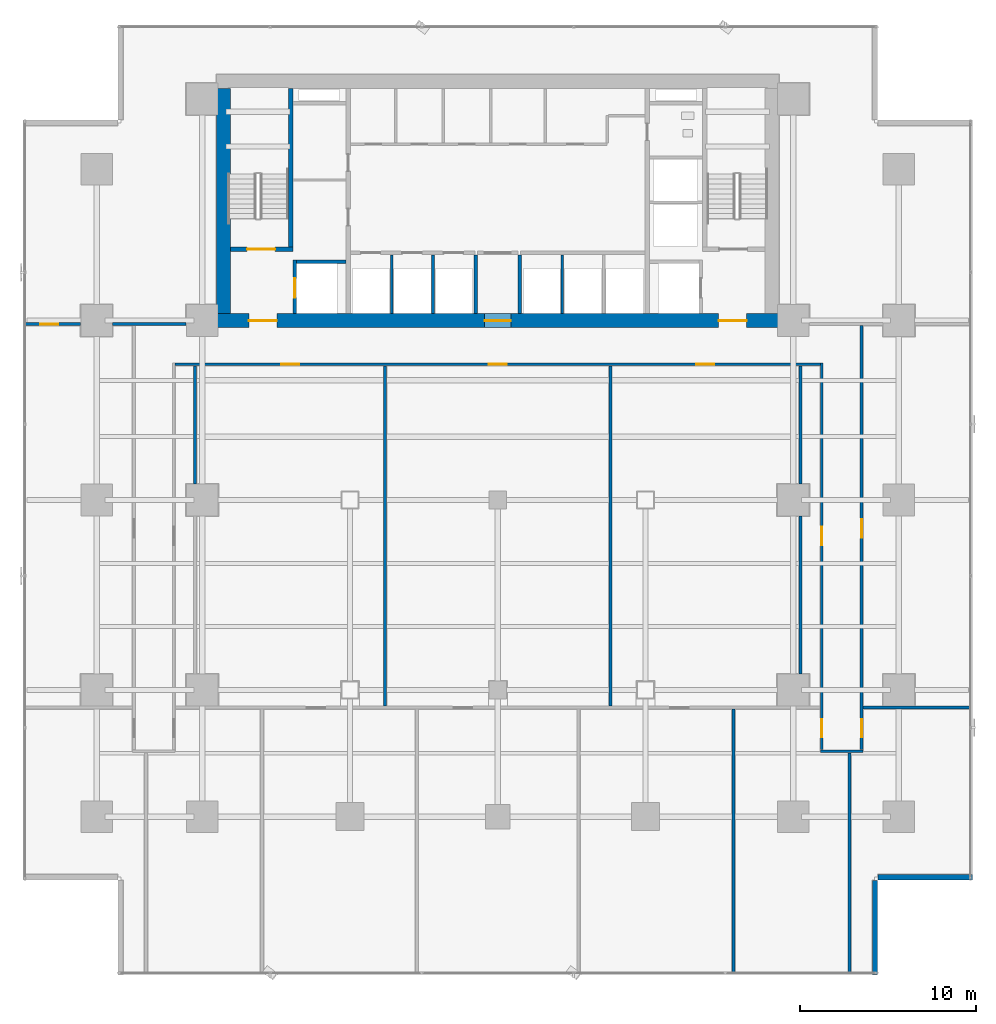
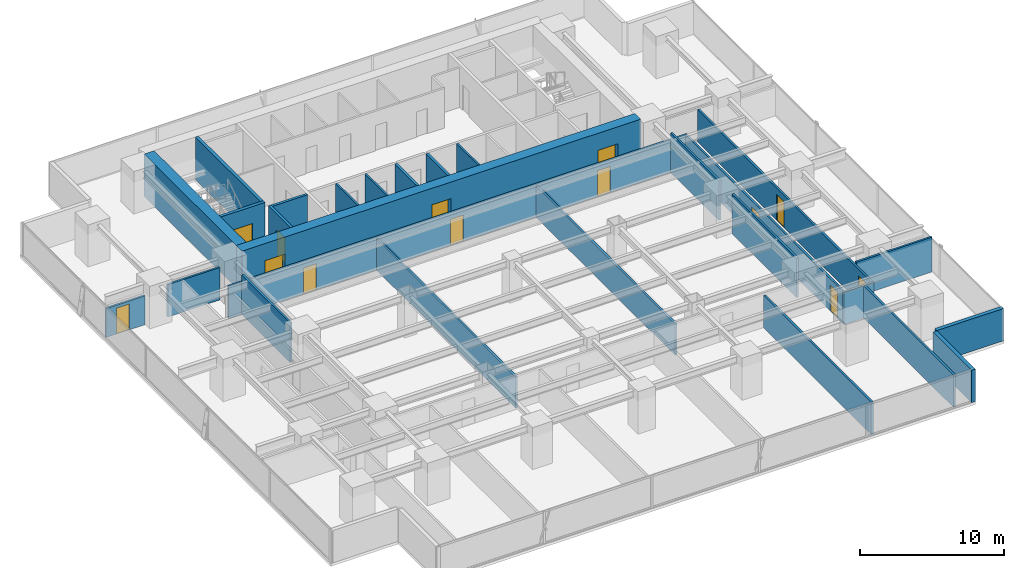
# One storey, part 25 of 33: 27 walls, 13 doors, 13 openings.
"""IFC4 building model written with IfcOpenShell, lengths in metres."""

from ifc_helpers import new_model, si_unit, direction, frame, frame_2d, origin, place, context, subcontext, project, spatial, rectangle, extrude, source, transform, mapped, material, layer, layer_set, type_object, element, fill, save


model = new_model("IFC4")

# Units and contexts
model_context = context("Model", 3, precision=1e-05, world=origin(), true_north=direction((0.0, 1.0)))
body_context = subcontext(model_context, "Body", "Model", "MODEL_VIEW")
ifc_project = project(units=[si_unit("LENGTHUNIT", "METRE"), si_unit("AREAUNIT", "SQUARE_METRE"), si_unit("VOLUMEUNIT", "CUBIC_METRE"), si_unit("PLANEANGLEUNIT", "RADIAN"), si_unit("MASSUNIT", "GRAM", prefix="KILO")], contexts=[model_context])

# Site, building, storey
site_placement = place(None, origin())
site = spatial("IfcSite", under=ifc_project, at=site_placement, CompositionType="ELEMENT")
building_placement = place(site_placement, origin())
building = spatial("IfcBuilding", under=site, at=building_placement, Name="Sumidabori Civic Tower", CompositionType="ELEMENT")
storey_placement = place(building_placement, frame((0.0, 0.0, 59.60009765625)))
storey = spatial("IfcBuildingStorey", under=building, at=storey_placement, Name="L15", CompositionType="ELEMENT", Elevation=59.60009765625)

# Wall, openings, doors
ifc_material_1 = material(Name="Concrete C60/75", Category="concrete")
ifc_layer_1 = layer(ifc_material_1, 0.800048828125, Name="Concrete C60/75")
ifc_layer_set_1 = layer_set([ifc_layer_1], Name="Concrete C60/75")
wall_type_1 = type_object("IfcWallType", Name="WL-CORE-800", PredefinedType="SHEAR", material=ifc_layer_set_1)
shared_shape_1 = source(origin(), body_context, "Body", "SweptSolid", [
    extrude(rectangle(XDim=32.0, YDim=0.800048828125, at=frame_2d((16.0, 0.0))), origin(), (0.0, 0.0, 1.0), 3.599853515625),
])
wall_1_placement = place(storey_placement, frame((-16.0, 10.199951171875, 0.0), z_axis=(0.0, 0.0, 1.0), x_axis=(1.0, 0.0, 0.0)))
wall_1 = element("IfcWall", 1, at=wall_1_placement, inside=storey, type_object=wall_type_1, Name="Core Shear Wall L15 S", PredefinedType="SHEAR", context=body_context, shape_type="MappedRepresentation", body=[
    mapped(shared_shape_1, transform((0.0, 0.0, 0.0), x_axis=(1.0, 0.0, 0.0), y_axis=(0.0, 1.0, 0.0), z_axis=(0.0, 0.0, 1.0), scale=1.0)),
])
opening_1_placement = place(wall_1_placement, frame((1.85009765625, 0.0, 0.0)))
opening_1 = element("IfcOpeningElement", 2, at=opening_1_placement, cuts=wall_1, Name="Opening DR-FD4", PredefinedType="OPENING", context=body_context, shape_type="SweptSolid", body=[
    extrude(rectangle(XDim=1.60009765625, YDim=2.14990234375, at=frame_2d((0.800048828125, 1.074951171875))), frame((0.0, 0.412109375, 0.0), z_axis=(0.0, -1.0, 0.0), x_axis=(1.0, 0.0, 0.0)), (0.0, 0.0, 1.0), 0.823974609375),
])
opening_2_placement = place(wall_1_placement, frame((28.550048828125, 0.0, 0.0)))
opening_2 = element("IfcOpeningElement", 3, at=opening_2_placement, cuts=wall_1, Name="Opening DR-FD4", PredefinedType="OPENING", context=body_context, shape_type="SweptSolid", body=[
    extrude(rectangle(XDim=1.60009765625, YDim=2.14990234375, at=frame_2d((0.800048828125, 1.074951171875))), frame((0.0, 0.412109375, 0.0), z_axis=(0.0, -1.0, 0.0), x_axis=(1.0, 0.0, 0.0)), (0.0, 0.0, 1.0), 0.823974609375),
])
opening_3_placement = place(wall_1_placement, frame((15.25, 0.0, 0.0)))
opening_3 = element("IfcOpeningElement", 4, at=opening_3_placement, cuts=wall_1, Name="Opening DR-FD3", PredefinedType="OPENING", context=body_context, shape_type="SweptSolid", body=[
    extrude(rectangle(XDim=1.5, YDim=2.199951171875, at=frame_2d((0.75, 1.10009765625))), frame((0.0, 0.412109375, 0.0), z_axis=(0.0, -1.0, 0.0), x_axis=(1.0, 0.0, 0.0)), (0.0, 0.0, 1.0), 0.823974609375),
])
ifc_material_2 = material(Name="Steel SN490", Category="steel")
door_type_1 = type_object("IfcDoorType", Name="DR-FD4", OperationType="DOUBLE_DOOR_SINGLE_SWING", PredefinedType="DOOR", material=ifc_material_2)
shared_shape_2 = source(origin(), body_context, "Body", "SweptSolid", [
    extrude(rectangle(XDim=1.60009765625, YDim=2.14990234375, at=frame_2d((0.800048828125, 1.074951171875))), frame((0.0, 0.02490234375, 0.0), z_axis=(0.0, -1.0, 0.0), x_axis=(1.0, 0.0, 0.0)), (0.0, 0.0, 1.0), 0.050048828125),
])
door_1_placement = place(opening_1_placement, origin())
door_1 = element("IfcDoor", 5, at=door_1_placement, inside=storey, type_object=door_type_1, Name="Door DR:L15:ELOB-W", OperationType="DOUBLE_DOOR_SINGLE_SWING", OverallHeight=2.14990234375, OverallWidth=1.60009765625, PredefinedType="DOOR", context=body_context, shape_type="MappedRepresentation", body=[
    mapped(shared_shape_2, transform((0.0, 0.0, 0.0), x_axis=(1.0, 0.0, 0.0), y_axis=(0.0, 1.0, 0.0), z_axis=(0.0, 0.0, 1.0), scale=1.0)),
])
fill(opening_1, door_1)
door_2_placement = place(opening_2_placement, origin())
door_2 = element("IfcDoor", 6, at=door_2_placement, inside=storey, type_object=door_type_1, Name="Door DR:L15:ELOB-E", OperationType="DOUBLE_DOOR_SINGLE_SWING", OverallHeight=2.14990234375, OverallWidth=1.60009765625, PredefinedType="DOOR", context=body_context, shape_type="MappedRepresentation", body=[
    mapped(shared_shape_2, transform((0.0, 0.0, 0.0), x_axis=(1.0, 0.0, 0.0), y_axis=(0.0, 1.0, 0.0), z_axis=(0.0, 0.0, 1.0), scale=1.0)),
])
fill(opening_2, door_2)
door_type_2 = type_object("IfcDoorType", Name="DR-FD-DBL", OperationType="DOUBLE_DOOR_SINGLE_SWING", PredefinedType="DOOR", material=ifc_material_2)
shared_shape_3 = source(origin(), body_context, "Body", "SweptSolid", [
    extrude(rectangle(XDim=1.5, YDim=2.199951171875, at=frame_2d((0.75, 1.10009765625))), frame((0.0, 0.02490234375, 0.0), z_axis=(0.0, -1.0, 0.0), x_axis=(1.0, 0.0, 0.0)), (0.0, 0.0, 1.0), 0.050048828125),
])
door_3_placement = place(opening_3_placement, origin())
door_3 = element("IfcDoor", 7, at=door_3_placement, inside=storey, type_object=door_type_2, Name="Door DR:L15:THROAT-OUT", OperationType="DOUBLE_DOOR_SINGLE_SWING", OverallHeight=2.199951171875, OverallWidth=1.5, PredefinedType="DOOR", context=body_context, shape_type="MappedRepresentation", body=[
    mapped(shared_shape_3, transform((0.0, 0.0, 0.0), x_axis=(1.0, 0.0, 0.0), y_axis=(0.0, 1.0, 0.0), z_axis=(0.0, 0.0, 1.0), scale=1.0)),
])
fill(opening_3, door_3)

# Wall
shared_shape_4 = source(origin(), body_context, "Body", "SweptSolid", [
    extrude(rectangle(XDim=12.7998046875, YDim=0.800048828125, at=frame_2d((6.39990234375, 0.0))), origin(), (0.0, 0.0, 1.0), 3.599853515625),
])
wall_2_placement = place(storey_placement, frame((-15.60009765625, 10.60009765625, 0.0), z_axis=(0.0, 0.0, 1.0), x_axis=(0.0, 1.0, 0.0)))
element("IfcWall", 8, at=wall_2_placement, inside=storey, type_object=wall_type_1, Name="Core Shear Wall L15 W", PredefinedType="SHEAR", context=body_context, shape_type="MappedRepresentation", body=[
    mapped(shared_shape_4, transform((0.0, 0.0, 0.0), x_axis=(1.0, 0.0, 0.0), y_axis=(0.0, 1.0, 0.0), z_axis=(0.0, 0.0, 1.0), scale=1.0)),
])

# Wall, opening, door
ifc_material_3 = material(Name="Concrete C50/60", Category="concrete")
ifc_layer_2 = layer(ifc_material_3, 0.25, Name="Concrete C50/60")
ifc_layer_set_2 = layer_set([ifc_layer_2], Name="Concrete C50/60")
wall_type_2 = type_object("IfcWallType", Name="WL-SHAFT-250", PredefinedType="SHEAR", material=ifc_layer_set_2)
shared_shape_5 = source(origin(), body_context, "Body", "SweptSolid", [
    extrude(rectangle(XDim=3.554931640625, YDim=0.25, at=frame_2d((1.77734375, 0.0))), origin(), (0.0, 0.0, 1.0), 3.599853515625),
])
wall_3_placement = place(storey_placement, frame((-15.199951171875, 14.25, 0.0), z_axis=(0.0, 0.0, 1.0), x_axis=(1.0, 0.0, 0.0)))
wall_3 = element("IfcWall", 9, at=wall_3_placement, inside=storey, type_object=wall_type_2, Name="Core Shear Wall L15 ST1-S", PredefinedType="SHEAR", context=body_context, shape_type="MappedRepresentation", body=[
    mapped(shared_shape_5, transform((0.0, 0.0, 0.0), x_axis=(1.0, 0.0, 0.0), y_axis=(0.0, 1.0, 0.0), z_axis=(0.0, 0.0, 1.0), scale=1.0)),
])
opening_4_placement = place(wall_3_placement, frame((0.949951171875, 0.0, 0.0)))
opening_4 = element("IfcOpeningElement", 10, at=opening_4_placement, cuts=wall_3, Name="Opening DR-FD4", PredefinedType="OPENING", context=body_context, shape_type="SweptSolid", body=[
    extrude(rectangle(XDim=1.60009765625, YDim=2.14990234375, at=frame_2d((0.800048828125, 1.074951171875))), frame((0.0, 0.136962890625, 0.0), z_axis=(0.0, -1.0, 0.0), x_axis=(1.0, 0.0, 0.0)), (0.0, 0.0, 1.0), 0.27392578125),
])
door_4_placement = place(opening_4_placement, origin())
door_4 = element("IfcDoor", 11, at=door_4_placement, inside=storey, type_object=door_type_1, Name="Door DR:L15:ST1", OperationType="DOUBLE_DOOR_SINGLE_SWING", OverallHeight=2.14990234375, OverallWidth=1.60009765625, PredefinedType="DOOR", context=body_context, shape_type="MappedRepresentation", body=[
    mapped(shared_shape_2, transform((0.0, 0.0, 0.0), x_axis=(1.0, 0.0, 0.0), y_axis=(0.0, 1.0, 0.0), z_axis=(0.0, 0.0, 1.0), scale=1.0)),
])
fill(opening_4, door_4)

# Wall
shared_shape_6 = source(origin(), body_context, "Body", "SweptSolid", [
    extrude(rectangle(XDim=9.02490234375, YDim=0.25, at=frame_2d((4.512451171875, 0.0))), origin(), (0.0, 0.0, 1.0), 3.599853515625),
])
wall_4_placement = place(storey_placement, frame((-11.77001953125, 14.375, 0.0), z_axis=(0.0, 0.0, 1.0), x_axis=(0.0, 1.0, 0.0)))
element("IfcWall", 12, at=wall_4_placement, inside=storey, type_object=wall_type_2, Name="Core Shear Wall L15 ST1-E", PredefinedType="SHEAR", context=body_context, shape_type="MappedRepresentation", body=[
    mapped(shared_shape_6, transform((0.0, 0.0, 0.0), x_axis=(1.0, 0.0, 0.0), y_axis=(0.0, 1.0, 0.0), z_axis=(0.0, 0.0, 1.0), scale=1.0)),
])

# Wall, opening, door
ifc_layer_3 = layer(ifc_material_3, 0.199951171875, Name="Concrete C50/60")
ifc_layer_set_3 = layer_set([ifc_layer_3], Name="Concrete C50/60")
wall_type_3 = type_object("IfcWallType", Name="WL-SHAFT-200", PredefinedType="SHEAR", material=ifc_layer_set_3)
shared_shape_7 = source(origin(), body_context, "Body", "SweptSolid", [
    extrude(rectangle(XDim=3.0498046875, YDim=0.199951171875, at=frame_2d((1.52490234375, 0.0))), origin(), (0.0, 0.0, 1.0), 3.599853515625),
])
wall_5_placement = place(storey_placement, frame((-11.550048828125, 10.60009765625, 0.0), z_axis=(0.0, 0.0, 1.0), x_axis=(0.0, 1.0, 0.0)))
wall_5 = element("IfcWall", 13, at=wall_5_placement, inside=storey, type_object=wall_type_3, Name="Core Shear Wall L15 EL1-W", PredefinedType="SHEAR", context=body_context, shape_type="MappedRepresentation", body=[
    mapped(shared_shape_7, transform((0.0, 0.0, 0.0), x_axis=(1.0, 0.0, 0.0), y_axis=(0.0, 1.0, 0.0), z_axis=(0.0, 0.0, 1.0), scale=1.0)),
])
opening_5_placement = place(wall_5_placement, frame((0.89990234375, 0.0, 0.0)))
opening_5 = element("IfcOpeningElement", 14, at=opening_5_placement, cuts=wall_5, Name="Opening LD-2", PredefinedType="OPENING", context=body_context, shape_type="SweptSolid", body=[
    extrude(rectangle(XDim=1.10009765625, YDim=2.14990234375, at=frame_2d((0.550048828125, 1.074951171875))), frame((0.0, 0.11181640625, 0.0), z_axis=(0.0, -1.0, 0.0), x_axis=(1.0, 0.0, 0.0)), (0.0, 0.0, 1.0), 0.223876953125),
])
ifc_material_4 = material(Name="Stainless Steel Hairline Finish", Category="steel")
door_type_3 = type_object("IfcDoorType", Name="DR-LD2", OperationType="DOUBLE_DOOR_SLIDING", PredefinedType="DOOR", material=ifc_material_4)
shared_shape_8 = source(origin(), body_context, "Body", "SweptSolid", [
    extrude(rectangle(XDim=1.10009765625, YDim=2.14990234375, at=frame_2d((0.550048828125, 1.074951171875))), frame((0.0, 0.02490234375, 0.0), z_axis=(0.0, -1.0, 0.0), x_axis=(1.0, 0.0, 0.0)), (0.0, 0.0, 1.0), 0.050048828125),
])
door_5_placement = place(opening_5_placement, origin())
door_5 = element("IfcDoor", 15, at=door_5_placement, inside=storey, type_object=door_type_3, Name="Door DR:L15:LD-EL1", OperationType="DOUBLE_DOOR_SLIDING", OverallHeight=2.14990234375, OverallWidth=1.10009765625, PredefinedType="DOOR", context=body_context, shape_type="MappedRepresentation", body=[
    mapped(shared_shape_8, transform((0.0, 0.0, 0.0), x_axis=(1.0, 0.0, 0.0), y_axis=(0.0, 1.0, 0.0), z_axis=(0.0, 0.0, 1.0), scale=1.0)),
])
fill(opening_5, door_5)

# Walls
shared_shape_9 = source(origin(), body_context, "Body", "SweptSolid", [
    extrude(rectangle(XDim=2.824951171875, YDim=0.199951171875, at=frame_2d((1.41259765625, 0.0))), origin(), (0.0, 0.0, 1.0), 3.599853515625),
])
wall_6_placement = place(storey_placement, frame((-11.449951171875, 13.550048828125, 0.0), z_axis=(0.0, 0.0, 1.0), x_axis=(1.0, 0.0, 0.0)))
element("IfcWall", 16, at=wall_6_placement, inside=storey, type_object=wall_type_3, Name="Core Shear Wall L15 EL1-N", PredefinedType="SHEAR", context=body_context, shape_type="MappedRepresentation", body=[
    mapped(shared_shape_9, transform((0.0, 0.0, 0.0), x_axis=(1.0, 0.0, 0.0), y_axis=(0.0, 1.0, 0.0), z_axis=(0.0, 0.0, 1.0), scale=1.0)),
])
ifc_material_5 = material(Name="Precast concrete C40/50", Category="concrete")
ifc_layer_4 = layer(ifc_material_5, 0.300048828125, Name="Precast concrete C40/50")
ifc_layer_set_4 = layer_set([ifc_layer_4], Name="Precast concrete C40/50")
wall_type_4 = type_object("IfcWallType", Name="WL-EXT-POD300", PredefinedType="STANDARD", material=ifc_layer_set_4)
shared_shape_10 = source(origin(), body_context, "Body", "SweptSolid", [
    extrude(rectangle(XDim=5.35986328125, YDim=0.300048828125, at=frame_2d((2.679931640625, 0.0))), origin(), (0.0, 0.0, 1.0), 2.739990234375),
])
for number, where, z_axis, x_axis, name in (
    (17, (21.449951171875, -26.97998046875, 0.0), (0.0, 0.0, 1.0), (0.0, 1.0, 0.0), "Notched Corner Spandrel Band L15-02"),
    (18, (21.6201171875, -21.449951171875, 0.0), (0.0, 0.0, 1.0), (1.0, 0.0, 0.0), "Notched Corner Spandrel Band L15-03"),
):
    element("IfcWall", number, at=place(storey_placement, frame(where, z_axis=z_axis, x_axis=x_axis)), inside=storey, type_object=wall_type_4, Name=name, PredefinedType="STANDARD", context=body_context, shape_type="MappedRepresentation", body=[
        mapped(shared_shape_10, transform((0.0, 0.0, 0.0), x_axis=(1.0, 0.0, 0.0), y_axis=(0.0, 1.0, 0.0), z_axis=(0.0, 0.0, 1.0), scale=1.0)),
    ])
ifc_material_6 = material(Name="Gypsum Plasterboard Fire Partition")
ifc_layer_5 = layer(ifc_material_6, 0.199951171875, Name="Gypsum Plasterboard Fire Partition")
ifc_layer_set_5 = layer_set([ifc_layer_5], Name="Gypsum Plasterboard Fire Partition")
wall_type_5 = type_object("IfcWallType", Name="WL-PART-FIRE", PredefinedType="PARTITIONING", material=ifc_layer_set_5)
shared_shape_11 = source(origin(), body_context, "Body", "SweptSolid", [
    extrude(rectangle(XDim=3.33984375, YDim=0.199951171875, at=frame_2d((1.669921875, 0.0))), origin(), (0.0, 0.0, 1.0), 3.35986328125),
])
for number, where, z_axis, x_axis, name in (
    (19, (-1.25, 10.60009765625, 0.0), (0.0, 0.0, 1.0), (0.0, 1.0, 0.0), "Interior Partition WL:L15:THROAT-W"),
    (20, (1.25, 10.60009765625, 0.0), (0.0, 0.0, 1.0), (0.0, 1.0, 0.0), "Interior Partition WL:L15:THROAT-E"),
):
    element("IfcWall", number, at=place(storey_placement, frame(where, z_axis=z_axis, x_axis=x_axis)), inside=storey, type_object=wall_type_5, Name=name, PredefinedType="PARTITIONING", context=body_context, shape_type="MappedRepresentation", body=[
        mapped(shared_shape_11, transform((0.0, 0.0, 0.0), x_axis=(1.0, 0.0, 0.0), y_axis=(0.0, 1.0, 0.0), z_axis=(0.0, 0.0, 1.0), scale=1.0)),
    ])
ifc_material_7 = material(Name="Gypsum Plasterboard Acoustic Partition")
ifc_layer_6 = layer(ifc_material_7, 0.14990234375, Name="Gypsum Plasterboard Acoustic Partition")
ifc_layer_set_6 = layer_set([ifc_layer_6], Name="Gypsum Plasterboard Acoustic Partition")
wall_type_6 = type_object("IfcWallType", Name="WL-PART-150", PredefinedType="PARTITIONING", material=ifc_layer_set_6)
shared_shape_12 = source(origin(), body_context, "Body", "SweptSolid", [
    extrude(rectangle(XDim=3.33984375, YDim=0.14990234375, at=frame_2d((1.669921875, 0.0))), origin(), (0.0, 0.0, 1.0), 3.35986328125),
])
for number, where, z_axis, x_axis, name in (
    (21, (-6.030029296875, 10.60009765625, 0.0), (0.0, 0.0, 1.0), (0.0, 1.0, 0.0), "Interior Partition WL:L15:DIV-PLL1"),
    (22, (-3.679931640625, 10.60009765625, 0.0), (0.0, 0.0, 1.0), (0.0, 1.0, 0.0), "Interior Partition WL:L15:DIV-PLL2"),
    (23, (3.669921875, 10.60009765625, 0.0), (0.0, 0.0, 1.0), (0.0, 1.0, 0.0), "Interior Partition WL:L15:DIV-PLM1"),
):
    element("IfcWall", number, at=place(storey_placement, frame(where, z_axis=z_axis, x_axis=x_axis)), inside=storey, type_object=wall_type_6, Name=name, PredefinedType="PARTITIONING", context=body_context, shape_type="MappedRepresentation", body=[
        mapped(shared_shape_12, transform((0.0, 0.0, 0.0), x_axis=(1.0, 0.0, 0.0), y_axis=(0.0, 1.0, 0.0), z_axis=(0.0, 0.0, 1.0), scale=1.0)),
    ])
ifc_layer_7 = layer(ifc_material_7, 0.1650390625, Name="Gypsum Plasterboard Acoustic Partition")
ifc_layer_set_7 = layer_set([ifc_layer_7], Name="Gypsum Plasterboard Acoustic Partition")
wall_type_7 = type_object("IfcWallType", Name="WL-PART-165", PredefinedType="PARTITIONING", material=ifc_layer_set_7)
shared_shape_13 = source(origin(), body_context, "Body", "SweptSolid", [
    extrude(rectangle(XDim=19.34228515625, YDim=0.1650390625, at=frame_2d((9.671142578125, 0.0))), origin(), (0.0, 0.0, 1.0), 2.64501953125),
])
for number, where, z_axis, x_axis, name in (
    (24, (-6.39990234375, -11.71240234375, 0.0), (0.0, 0.0, 1.0), (0.0, 1.0, 0.0), "Interior Partition WL:L15:VX-N2"),
    (25, (6.39990234375, -11.71240234375, 0.0), (0.0, 0.0, 1.0), (0.0, 1.0, 0.0), "Interior Partition WL:L15:VX-N3"),
):
    element("IfcWall", number, at=place(storey_placement, frame(where, z_axis=z_axis, x_axis=x_axis)), inside=storey, type_object=wall_type_7, Name=name, PredefinedType="PARTITIONING", context=body_context, shape_type="MappedRepresentation", body=[
        mapped(shared_shape_13, transform((0.0, 0.0, 0.0), x_axis=(1.0, 0.0, 0.0), y_axis=(0.0, 1.0, 0.0), z_axis=(0.0, 0.0, 1.0), scale=1.0)),
    ])

# Wall, opening, door
shared_shape_14 = source(origin(), body_context, "Body", "SweptSolid", [
    extrude(rectangle(XDim=3.14013671875, YDim=0.1650390625, at=frame_2d((1.570068359375, 0.0))), origin(), (0.0, 0.0, 1.0), 2.434814453125),
])
wall_7_placement = place(storey_placement, frame((-26.85009765625, 10.0, 0.0), z_axis=(0.0, 0.0, 1.0), x_axis=(1.0, 0.0, 0.0)))
wall_7 = element("IfcWall", 26, at=wall_7_placement, inside=storey, type_object=wall_type_7, Name="Interior Partition WL:L15:FLK-NW-1", PredefinedType="PARTITIONING", context=body_context, shape_type="MappedRepresentation", body=[
    mapped(shared_shape_14, transform((0.0, 0.0, 0.0), x_axis=(1.0, 0.0, 0.0), y_axis=(0.0, 1.0, 0.0), z_axis=(0.0, 0.0, 1.0), scale=1.0)),
])
opening_6_placement = place(wall_7_placement, frame((0.830078125, 0.0, 0.0)))
opening_6 = element("IfcOpeningElement", 27, at=opening_6_placement, cuts=wall_7, Name="Opening DR-4", PredefinedType="OPENING", context=body_context, shape_type="SweptSolid", body=[
    extrude(rectangle(XDim=1.0400390625, YDim=2.199951171875, at=frame_2d((0.52001953125, 1.10009765625))), frame((0.0, 0.094482421875, 0.0), z_axis=(0.0, -1.0, 0.0), x_axis=(1.0, 0.0, 0.0)), (0.0, 0.0, 1.0), 0.18896484375),
])
ifc_material_8 = material(Name="Japanese Hinoki Timber", Category="wood")
door_type_4 = type_object("IfcDoorType", Name="DR-INT-1040", OperationType="NOTDEFINED", PredefinedType="DOOR", material=ifc_material_8)
shared_shape_15 = source(origin(), body_context, "Body", "SweptSolid", [
    extrude(rectangle(XDim=1.0400390625, YDim=2.199951171875, at=frame_2d((0.52001953125, 1.10009765625))), frame((0.0, 0.02490234375, 0.0), z_axis=(0.0, -1.0, 0.0), x_axis=(1.0, 0.0, 0.0)), (0.0, 0.0, 1.0), 0.050048828125),
])
door_6_placement = place(opening_6_placement, origin())
door_6 = element("IfcDoor", 28, at=door_6_placement, inside=storey, type_object=door_type_4, Name="Door DR:L15:D12", OperationType="SINGLE_SWING_RIGHT", OverallHeight=2.199951171875, OverallWidth=1.0400390625, PredefinedType="DOOR", context=body_context, shape_type="MappedRepresentation", body=[
    mapped(shared_shape_15, transform((0.0, 0.0, 0.0), x_axis=(1.0, 0.0, 0.0), y_axis=(0.0, 1.0, 0.0), z_axis=(0.0, 0.0, 1.0), scale=1.0)),
])
fill(opening_6, door_6)

# Wall
shared_shape_16 = source(origin(), body_context, "Body", "SweptSolid", [
    extrude(rectangle(XDim=4.179931640625, YDim=0.1650390625, at=frame_2d((2.08984375, 0.0))), origin(), (0.0, 0.0, 1.0), 2.744873046875),
])
wall_8_placement = place(storey_placement, frame((-21.889892578125, 10.0, 0.0), z_axis=(0.0, 0.0, 1.0), x_axis=(1.0, 0.0, 0.0)))
element("IfcWall", 29, at=wall_8_placement, inside=storey, type_object=wall_type_7, Name="Interior Partition WL:L15:FLK-NW-2", PredefinedType="PARTITIONING", context=body_context, shape_type="MappedRepresentation", body=[
    mapped(shared_shape_16, transform((0.0, 0.0, 0.0), x_axis=(1.0, 0.0, 0.0), y_axis=(0.0, 1.0, 0.0), z_axis=(0.0, 0.0, 1.0), scale=1.0)),
])

# Wall, openings, doors
shared_shape_17 = source(origin(), body_context, "Body", "SweptSolid", [
    extrude(rectangle(XDim=36.669921875, YDim=0.1650390625, at=frame_2d((18.3349609375, 0.0))), origin(), (0.0, 0.0, 1.0), 2.744873046875),
])
wall_9_placement = place(storey_placement, frame((-18.3349609375, 7.717529296875, 0.0), z_axis=(0.0, 0.0, 1.0), x_axis=(1.0, 0.0, 0.0)))
wall_9 = element("IfcWall", 30, at=wall_9_placement, inside=storey, type_object=wall_type_7, Name="Interior Partition WL:L15:CORR-S", PredefinedType="PARTITIONING", context=body_context, shape_type="MappedRepresentation", body=[
    mapped(shared_shape_17, transform((0.0, 0.0, 0.0), x_axis=(1.0, 0.0, 0.0), y_axis=(0.0, 1.0, 0.0), z_axis=(0.0, 0.0, 1.0), scale=1.0)),
])
opening_7_placement = place(wall_9_placement, frame((6.014892578125, 0.0, 0.0)))
opening_7 = element("IfcOpeningElement", 31, at=opening_7_placement, cuts=wall_9, Name="Opening DR-4", PredefinedType="OPENING", context=body_context, shape_type="SweptSolid", body=[
    extrude(rectangle(XDim=1.0400390625, YDim=2.199951171875, at=frame_2d((0.52001953125, 1.10009765625))), frame((0.0, 0.094482421875, 0.0), z_axis=(0.0, -1.0, 0.0), x_axis=(1.0, 0.0, 0.0)), (0.0, 0.0, 1.0), 0.18896484375),
])
opening_8_placement = place(wall_9_placement, frame((29.614990234375, 0.0, 0.0)))
opening_8 = element("IfcOpeningElement", 32, at=opening_8_placement, cuts=wall_9, Name="Opening DR-4", PredefinedType="OPENING", context=body_context, shape_type="SweptSolid", body=[
    extrude(rectangle(XDim=1.0400390625, YDim=2.199951171875, at=frame_2d((0.52001953125, 1.10009765625))), frame((0.0, 0.094482421875, 0.0), z_axis=(0.0, -1.0, 0.0), x_axis=(1.0, 0.0, 0.0)), (0.0, 0.0, 1.0), 0.18896484375),
])
opening_9_placement = place(wall_9_placement, frame((17.81494140625, 0.0, 0.0)))
opening_9 = element("IfcOpeningElement", 33, at=opening_9_placement, cuts=wall_9, Name="Opening DR-4", PredefinedType="OPENING", context=body_context, shape_type="SweptSolid", body=[
    extrude(rectangle(XDim=1.0400390625, YDim=2.199951171875, at=frame_2d((0.52001953125, 1.10009765625))), frame((0.0, 0.094482421875, 0.0), z_axis=(0.0, -1.0, 0.0), x_axis=(1.0, 0.0, 0.0)), (0.0, 0.0, 1.0), 0.18896484375),
])
door_7_placement = place(opening_7_placement, origin())
door_7 = element("IfcDoor", 34, at=door_7_placement, inside=storey, type_object=door_type_4, Name="Door DR:L15:D05", OperationType="SINGLE_SWING_LEFT", OverallHeight=2.199951171875, OverallWidth=1.0400390625, PredefinedType="DOOR", context=body_context, shape_type="MappedRepresentation", body=[
    mapped(shared_shape_15, transform((0.0, 0.0, 0.0), x_axis=(1.0, 0.0, 0.0), y_axis=(0.0, 1.0, 0.0), z_axis=(0.0, 0.0, 1.0), scale=1.0)),
])
fill(opening_7, door_7)
door_8_placement = place(opening_8_placement, origin())
door_8 = element("IfcDoor", 35, at=door_8_placement, inside=storey, type_object=door_type_4, Name="Door DR:L15:D06", OperationType="SINGLE_SWING_RIGHT", OverallHeight=2.199951171875, OverallWidth=1.0400390625, PredefinedType="DOOR", context=body_context, shape_type="MappedRepresentation", body=[
    mapped(shared_shape_15, transform((0.0, 0.0, 0.0), x_axis=(1.0, 0.0, 0.0), y_axis=(0.0, 1.0, 0.0), z_axis=(0.0, 0.0, 1.0), scale=1.0)),
])
fill(opening_8, door_8)
door_9_placement = place(opening_9_placement, origin())
door_9 = element("IfcDoor", 36, at=door_9_placement, inside=storey, type_object=door_type_4, Name="Door DR:L15:D07", OperationType="SINGLE_SWING_LEFT", OverallHeight=2.199951171875, OverallWidth=1.0400390625, PredefinedType="DOOR", context=body_context, shape_type="MappedRepresentation", body=[
    mapped(shared_shape_15, transform((0.0, 0.0, 0.0), x_axis=(1.0, 0.0, 0.0), y_axis=(0.0, 1.0, 0.0), z_axis=(0.0, 0.0, 1.0), scale=1.0)),
])
fill(opening_9, door_9)

# Wall
shared_shape_18 = source(origin(), body_context, "Body", "SweptSolid", [
    extrude(rectangle(XDim=2.429931640625, YDim=0.1650390625, at=frame_2d((1.21484375, 0.0))), origin(), (0.0, 0.0, 1.0), 2.744873046875),
])
wall_10_placement = place(storey_placement, frame((18.3349609375, -14.282470703125, 0.0), z_axis=(0.0, 0.0, 1.0), x_axis=(1.0, 0.0, 0.0)))
element("IfcWall", 37, at=wall_10_placement, inside=storey, type_object=wall_type_7, Name="Interior Partition WL:L15:CORR-CAP-E", PredefinedType="PARTITIONING", context=body_context, shape_type="MappedRepresentation", body=[
    mapped(shared_shape_18, transform((0.0, 0.0, 0.0), x_axis=(1.0, 0.0, 0.0), y_axis=(0.0, 1.0, 0.0), z_axis=(0.0, 0.0, 1.0), scale=1.0)),
])

# Wall, openings, doors
shared_shape_19 = source(origin(), body_context, "Body", "SweptSolid", [
    extrude(rectangle(XDim=24.107666015625, YDim=0.1650390625, at=frame_2d((12.0537109375, 0.0))), origin(), (0.0, 0.0, 1.0), 2.744873046875),
])
wall_11_placement = place(storey_placement, frame((20.6826171875, -14.195068359375, 0.0), z_axis=(0.0, 0.0, 1.0), x_axis=(0.0, 1.0, 0.0)))
wall_11 = element("IfcWall", 38, at=wall_11_placement, inside=storey, type_object=wall_type_7, Name="Interior Partition WL:L15:CORR-VE-OUT", PredefinedType="PARTITIONING", context=body_context, shape_type="MappedRepresentation", body=[
    mapped(shared_shape_19, transform((0.0, 0.0, 0.0), x_axis=(1.0, 0.0, 0.0), y_axis=(0.0, 1.0, 0.0), z_axis=(0.0, 0.0, 1.0), scale=1.0)),
])
opening_10_placement = place(wall_11_placement, frame((12.052490234375, 0.0, 0.0)))
opening_10 = element("IfcOpeningElement", 39, at=opening_10_placement, cuts=wall_11, Name="Opening DR-4", PredefinedType="OPENING", context=body_context, shape_type="SweptSolid", body=[
    extrude(rectangle(XDim=1.0400390625, YDim=2.199951171875, at=frame_2d((0.52001953125, 1.10009765625))), frame((0.0, 0.094482421875, 0.0), z_axis=(0.0, -1.0, 0.0), x_axis=(1.0, 0.0, 0.0)), (0.0, 0.0, 1.0), 0.18896484375),
])
opening_11_placement = place(wall_11_placement, frame((0.6962890625, 0.0, 0.0)))
opening_11 = element("IfcOpeningElement", 40, at=opening_11_placement, cuts=wall_11, Name="Opening DR-4", PredefinedType="OPENING", context=body_context, shape_type="SweptSolid", body=[
    extrude(rectangle(XDim=1.0400390625, YDim=2.199951171875, at=frame_2d((0.52001953125, 1.10009765625))), frame((0.0, 0.094482421875, 0.0), z_axis=(0.0, -1.0, 0.0), x_axis=(1.0, 0.0, 0.0)), (0.0, 0.0, 1.0), 0.18896484375),
])
door_10_placement = place(opening_10_placement, origin())
door_10 = element("IfcDoor", 41, at=door_10_placement, inside=storey, type_object=door_type_4, Name="Door DR:L15:D02", OperationType="SINGLE_SWING_RIGHT", OverallHeight=2.199951171875, OverallWidth=1.0400390625, PredefinedType="DOOR", context=body_context, shape_type="MappedRepresentation", body=[
    mapped(shared_shape_15, transform((0.0, 0.0, 0.0), x_axis=(1.0, 0.0, 0.0), y_axis=(0.0, 1.0, 0.0), z_axis=(0.0, 0.0, 1.0), scale=1.0)),
])
fill(opening_10, door_10)
door_11_placement = place(opening_11_placement, origin())
door_11 = element("IfcDoor", 42, at=door_11_placement, inside=storey, type_object=door_type_4, Name="Door DR:L15:D09", OperationType="SINGLE_SWING_LEFT", OverallHeight=2.199951171875, OverallWidth=1.0400390625, PredefinedType="DOOR", context=body_context, shape_type="MappedRepresentation", body=[
    mapped(shared_shape_15, transform((0.0, 0.0, 0.0), x_axis=(1.0, 0.0, 0.0), y_axis=(0.0, 1.0, 0.0), z_axis=(0.0, 0.0, 1.0), scale=1.0)),
])
fill(opening_11, door_11)

shared_shape_20 = source(origin(), body_context, "Body", "SweptSolid", [
    extrude(rectangle(XDim=21.9951171875, YDim=0.1650390625, at=frame_2d((10.99755859375, 0.0))), origin(), (0.0, 0.0, 1.0), 2.744873046875),
])
wall_12_placement = place(storey_placement, frame((18.41748046875, -14.195068359375, 0.0), z_axis=(0.0, 0.0, 1.0), x_axis=(0.0, 1.0, 0.0)))
wall_12 = element("IfcWall", 43, at=wall_12_placement, inside=storey, type_object=wall_type_7, Name="Interior Partition WL:L15:CORR-VE-IN", PredefinedType="PARTITIONING", context=body_context, shape_type="MappedRepresentation", body=[
    mapped(shared_shape_20, transform((0.0, 0.0, 0.0), x_axis=(1.0, 0.0, 0.0), y_axis=(0.0, 1.0, 0.0), z_axis=(0.0, 0.0, 1.0), scale=1.0)),
])
opening_12_placement = place(wall_12_placement, frame((11.6337890625, 0.0, 0.0)))
opening_12 = element("IfcOpeningElement", 44, at=opening_12_placement, cuts=wall_12, Name="Opening DR-4", PredefinedType="OPENING", context=body_context, shape_type="SweptSolid", body=[
    extrude(rectangle(XDim=1.0400390625, YDim=2.199951171875, at=frame_2d((0.52001953125, 1.10009765625))), frame((0.0, 0.094482421875, 0.0), z_axis=(0.0, -1.0, 0.0), x_axis=(1.0, 0.0, 0.0)), (0.0, 0.0, 1.0), 0.18896484375),
])
opening_13_placement = place(wall_12_placement, frame((0.6962890625, 0.0, 0.0)))
opening_13 = element("IfcOpeningElement", 45, at=opening_13_placement, cuts=wall_12, Name="Opening DR-4", PredefinedType="OPENING", context=body_context, shape_type="SweptSolid", body=[
    extrude(rectangle(XDim=1.0400390625, YDim=2.199951171875, at=frame_2d((0.52001953125, 1.10009765625))), frame((0.0, 0.094482421875, 0.0), z_axis=(0.0, -1.0, 0.0), x_axis=(1.0, 0.0, 0.0)), (0.0, 0.0, 1.0), 0.18896484375),
])
door_12_placement = place(opening_12_placement, origin())
door_12 = element("IfcDoor", 46, at=door_12_placement, inside=storey, type_object=door_type_4, Name="Door DR:L15:D04", OperationType="SINGLE_SWING_RIGHT", OverallHeight=2.199951171875, OverallWidth=1.0400390625, PredefinedType="DOOR", context=body_context, shape_type="MappedRepresentation", body=[
    mapped(shared_shape_15, transform((0.0, 0.0, 0.0), x_axis=(1.0, 0.0, 0.0), y_axis=(0.0, 1.0, 0.0), z_axis=(0.0, 0.0, 1.0), scale=1.0)),
])
fill(opening_12, door_12)
door_13_placement = place(opening_13_placement, origin())
door_13 = element("IfcDoor", 47, at=door_13_placement, inside=storey, type_object=door_type_4, Name="Door DR:L15:D11", OperationType="SINGLE_SWING_LEFT", OverallHeight=2.199951171875, OverallWidth=1.0400390625, PredefinedType="DOOR", context=body_context, shape_type="MappedRepresentation", body=[
    mapped(shared_shape_15, transform((0.0, 0.0, 0.0), x_axis=(1.0, 0.0, 0.0), y_axis=(0.0, 1.0, 0.0), z_axis=(0.0, 0.0, 1.0), scale=1.0)),
])
fill(opening_13, door_13)

# Walls
shared_shape_21 = source(origin(), body_context, "Body", "SweptSolid", [
    extrude(rectangle(XDim=6.080078125, YDim=0.1650390625, at=frame_2d((3.0400390625, 0.0))), origin(), (0.0, 0.0, 1.0), 2.94482421875),
])
wall_13_placement = place(storey_placement, frame((20.77001953125, -11.800048828125, 0.0), z_axis=(0.0, 0.0, 1.0), x_axis=(1.0, 0.0, 0.0)))
element("IfcWall", 48, at=wall_13_placement, inside=storey, type_object=wall_type_7, Name="Interior Partition WL:L15:BAND-Y-3", PredefinedType="PARTITIONING", context=body_context, shape_type="MappedRepresentation", body=[
    mapped(shared_shape_21, transform((0.0, 0.0, 0.0), x_axis=(1.0, 0.0, 0.0), y_axis=(0.0, 1.0, 0.0), z_axis=(0.0, 0.0, 1.0), scale=1.0)),
])
shared_shape_22 = source(origin(), body_context, "Body", "SweptSolid", [
    extrude(rectangle(XDim=8.97998046875, YDim=0.1650390625, at=frame_2d((4.489990234375, 0.0))), origin(), (0.0, 0.0, 1.0), 3.35986328125),
])
wall_14_placement = place(storey_placement, frame((17.199951171875, -9.889892578125, 0.0), z_axis=(0.0, 0.0, 1.0), x_axis=(0.0, 1.0, 0.0)))
element("IfcWall", 49, at=wall_14_placement, inside=storey, type_object=wall_type_7, Name="Interior Partition WL:L15:VX-N4-1", PredefinedType="PARTITIONING", context=body_context, shape_type="MappedRepresentation", body=[
    mapped(shared_shape_22, transform((0.0, 0.0, 0.0), x_axis=(1.0, 0.0, 0.0), y_axis=(0.0, 1.0, 0.0), z_axis=(0.0, 0.0, 1.0), scale=1.0)),
])
shared_shape_23 = source(origin(), body_context, "Body", "SweptSolid", [
    extrude(rectangle(XDim=6.719970703125, YDim=0.1650390625, at=frame_2d((3.35986328125, 0.0))), origin(), (0.0, 0.0, 1.0), 3.35986328125),
])
for number, where, z_axis, x_axis, name in (
    (50, (-17.199951171875, 0.909912109375, 0.0), (0.0, 0.0, 1.0), (0.0, 1.0, 0.0), "Interior Partition WL:L15:VX-N1-2"),
    (51, (17.199951171875, 0.909912109375, 0.0), (0.0, 0.0, 1.0), (0.0, 1.0, 0.0), "Interior Partition WL:L15:VX-N4-2"),
):
    element("IfcWall", number, at=place(storey_placement, frame(where, z_axis=z_axis, x_axis=x_axis)), inside=storey, type_object=wall_type_7, Name=name, PredefinedType="PARTITIONING", context=body_context, shape_type="MappedRepresentation", body=[
        mapped(shared_shape_23, transform((0.0, 0.0, 0.0), x_axis=(1.0, 0.0, 0.0), y_axis=(0.0, 1.0, 0.0), z_axis=(0.0, 0.0, 1.0), scale=1.0)),
    ])
shared_shape_24 = source(origin(), body_context, "Body", "SweptSolid", [
    extrude(rectangle(XDim=12.47998046875, YDim=0.1650390625, at=frame_2d((6.239990234375, 0.0))), origin(), (0.0, 0.0, 1.0), 2.744873046875),
])
wall_15_placement = place(storey_placement, frame((20.0, -26.85009765625, 0.0), z_axis=(0.0, 0.0, 1.0), x_axis=(0.0, 1.0, 0.0)))
element("IfcWall", 52, at=wall_15_placement, inside=storey, type_object=wall_type_7, Name="Interior Partition WL:L15:VX-S6", PredefinedType="PARTITIONING", context=body_context, shape_type="MappedRepresentation", body=[
    mapped(shared_shape_24, transform((0.0, 0.0, 0.0), x_axis=(1.0, 0.0, 0.0), y_axis=(0.0, 1.0, 0.0), z_axis=(0.0, 0.0, 1.0), scale=1.0)),
])
shared_shape_25 = source(origin(), body_context, "Body", "SweptSolid", [
    extrude(rectangle(XDim=14.962646484375, YDim=0.1650390625, at=frame_2d((7.4814453125, 0.0))), origin(), (0.0, 0.0, 1.0), 2.744873046875),
])
wall_16_placement = place(storey_placement, frame((13.39990234375, -26.85009765625, 0.0), z_axis=(0.0, 0.0, 1.0), x_axis=(0.0, 1.0, 0.0)))
element("IfcWall", 53, at=wall_16_placement, inside=storey, type_object=wall_type_7, Name="Interior Partition WL:L15:VX-S5", PredefinedType="PARTITIONING", context=body_context, shape_type="MappedRepresentation", body=[
    mapped(shared_shape_25, transform((0.0, 0.0, 0.0), x_axis=(1.0, 0.0, 0.0), y_axis=(0.0, 1.0, 0.0), z_axis=(0.0, 0.0, 1.0), scale=1.0)),
])

save(model, "model.ifc")
